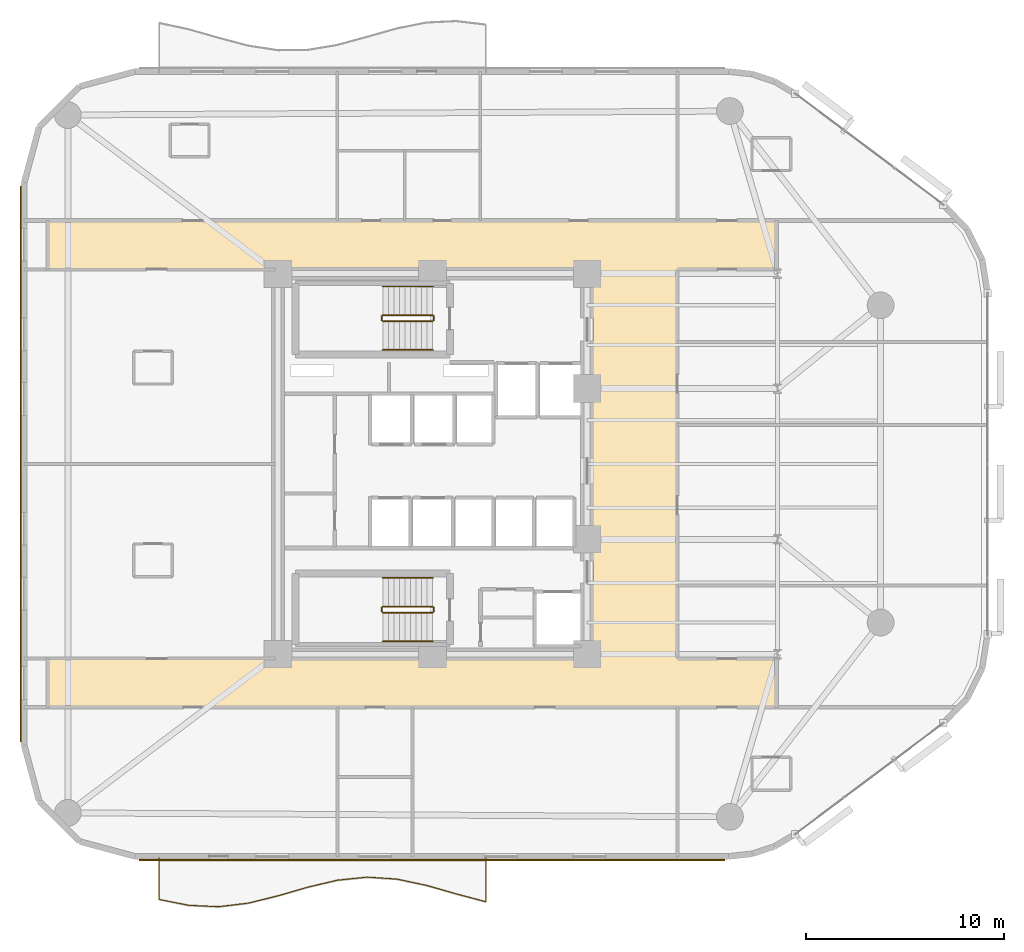
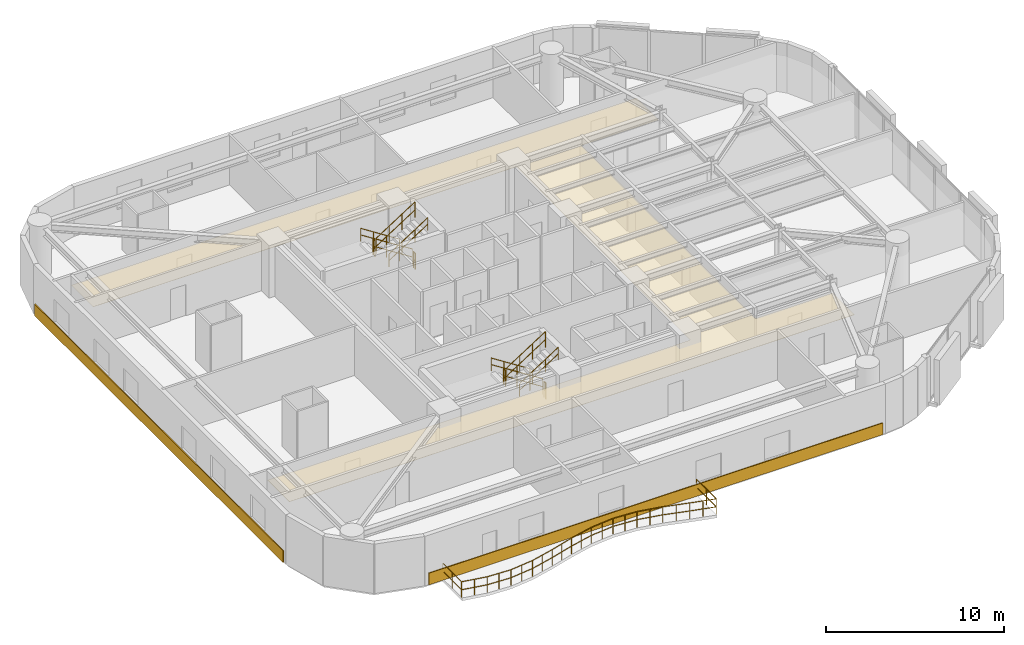
# One storey, part 14 of 15: 13 railings, 3 coverings.
"""IFC4 building model written with IfcOpenShell, lengths in metres."""

from ifc_helpers import new_model, si_unit, direction, frame, origin, origin_2d, place, context, subcontext, project, spatial, polyline, rectangle, circle, outline, extrude, material, layer, layer_set, type_object, element, save


model = new_model("IFC4")

# Units and contexts
model_context = context("Model", 3, precision=1e-05, world=origin(), true_north=direction((0.0, 1.0)))
body_context = subcontext(model_context, "Body", "Model", "MODEL_VIEW")
ifc_project = project(units=[si_unit("LENGTHUNIT", "METRE"), si_unit("AREAUNIT", "SQUARE_METRE"), si_unit("VOLUMEUNIT", "CUBIC_METRE"), si_unit("PLANEANGLEUNIT", "RADIAN"), si_unit("MASSUNIT", "GRAM", prefix="KILO")], contexts=[model_context])

# Site, building, storey
site_placement = place(None, origin())
site = spatial("IfcSite", under=ifc_project, at=site_placement, CompositionType="ELEMENT")
building_placement = place(site_placement, origin())
building = spatial("IfcBuilding", under=site, at=building_placement, Name="An Khanh Terracotta Commons", CompositionType="ELEMENT")
storey_placement = place(building_placement, frame((0.0, 0.0, 122.300048828125)))
storey = spatial("IfcBuildingStorey", under=building, at=storey_placement, Name="L32", CompositionType="ELEMENT", Elevation=122.300048828125)

# Coverings
ifc_material_1 = material(Name="Perforated Mineral-Fibre Acoustic Tile")
ifc_layer_1 = layer(ifc_material_1, 0.02001953125, Name="Perforated Mineral-Fibre Acoustic Tile")
ifc_layer_set_1 = layer_set([ifc_layer_1], Name="Perforated Mineral-Fibre Acoustic Tile")
covering_type_1 = type_object("IfcCoveringType", Name="CEIL-ACOUSTIC-18", PredefinedType="CEILING", material=ifc_layer_set_1)
covering_1_placement = place(storey_placement, frame((0.0, 0.0, 2.64990234375)))
element("IfcCovering", 1, at=covering_1_placement, inside=storey, type_object=covering_type_1, Name="L32 Corridor Ceiling", PredefinedType="CEILING", context=body_context, shape_type="SweptSolid", body=[
    extrude(outline(polyline([(37.5, 14.179931640625), (37.5, 33.820068359375), (10.0, 33.820068359375), (10.0, 36.280029296875), (37.5, 36.280029296875), (41.75, 36.280029296875), (46.75, 36.280029296875), (46.75, 33.820068359375), (41.75, 33.820068359375), (41.75, 14.179931640625), (46.75, 14.179931640625), (46.75, 11.719970703125), (41.75, 11.719970703125), (37.5, 11.719970703125), (10.0, 11.719970703125), (10.0, 14.179931640625), (37.5, 14.179931640625)])), origin(), (0.0, 0.0, 1.0), 0.02001953125),
])
ifc_material_2 = material(Name="Fired Terracotta Rainscreen Cladding", Category="masonry")
ifc_layer_2 = layer(ifc_material_2, 0.06005859375, Name="Fired Terracotta Rainscreen Cladding")
ifc_layer_set_2 = layer_set([ifc_layer_2], Name="Fired Terracotta Rainscreen Cladding")
covering_type_2 = type_object("IfcCoveringType", Name="COV-SPANDREL-TERRA", PredefinedType="CLADDING", material=ifc_layer_set_2)
covering_2_placement = place(storey_placement, frame((29.365966796875, 4.02001953125, 0.02001953125), z_axis=(0.0, 0.0, 1.0), x_axis=(1.0, 0.0, 0.0)))
element("IfcCovering", 2, at=covering_2_placement, inside=storey, type_object=covering_type_2, Name="L32 Terracotta Spandrel Cladding 4", PredefinedType="CLADDING", context=body_context, shape_type="SweptSolid", body=[
    extrude(rectangle(XDim=29.532958984375, YDim=0.06005859375, at=origin_2d()), origin(), (0.0, 0.0, 1.0), 0.800048828125),
])
covering_3_placement = place(storey_placement, frame((8.6201171875, 24.0, 0.02001953125), z_axis=(0.0, 0.0, 1.0), x_axis=(0.0, -1.0, 0.0)))
element("IfcCovering", 3, at=covering_3_placement, inside=storey, type_object=covering_type_2, Name="L32 Terracotta Spandrel Cladding 24", PredefinedType="CLADDING", context=body_context, shape_type="SweptSolid", body=[
    extrude(rectangle(XDim=28.0, YDim=0.06005859375, at=origin_2d()), origin(), (0.0, 0.0, 1.0), 0.800048828125),
])

# Railings
ifc_material_3 = material(Name="Brushed Stainless Steel 316", Category="steel")
railing_type_1 = type_object("IfcRailingType", Name="RAIL-BALUSTRADE-1100", PredefinedType="BALUSTRADE", material=ifc_material_3)
railing_1_placement = place(storey_placement, frame((15.60009765625, 4.139892578125, 0.0)))
element("IfcRailing", 4, at=railing_1_placement, inside=storey, type_object=railing_type_1, Name="L32 S Wave Balcony Guard Balustrade", PredefinedType="BALUSTRADE", context=body_context, shape_type="SweptSolid", body=[
    extrude(circle(Radius=0.02392578125, at=origin_2d()), frame((0.0, 0.0, 1.076171875), z_axis=(0.0, -1.0, 0.0), x_axis=(1.0, 0.0, 0.0)), (0.0, 0.0, 1.0), 2.10498046875),
    extrude(circle(Radius=0.02392578125, at=origin_2d()), frame((0.0, 0.0, 0.52587890625), z_axis=(0.0, -1.0, 0.0), x_axis=(1.0, 0.0, 0.0)), (0.0, 0.0, 1.0), 2.10498046875),
    extrude(circle(Radius=0.02392578125, at=origin_2d()), frame((0.0, -2.10498046875, 1.076171875), z_axis=(0.980849911242, -0.194765119094, 0.0), x_axis=(0.194765119094, 0.980849911242, 0.0)), (0.0, 0.0, 1.0), 1.529296875),
    extrude(circle(Radius=0.02392578125, at=origin_2d()), frame((0.0, -2.10498046875, 0.52587890625), z_axis=(0.980849911242, -0.194765119094, 0.0), x_axis=(0.194765119094, 0.980849911242, 0.0)), (0.0, 0.0, 1.0), 1.529296875),
    extrude(circle(Radius=0.02392578125, at=origin_2d()), frame((1.5, -2.40283203125, 1.076171875), z_axis=(0.998880243389, -0.047310245903, 0.0), x_axis=(0.047310245903, 0.998880243389, 0.0)), (0.0, 0.0, 1.0), 1.501708984375),
    extrude(circle(Radius=0.02392578125, at=origin_2d()), frame((1.5, -2.40283203125, 0.52587890625), z_axis=(0.998880243389, -0.047310245903, 0.0), x_axis=(0.047310245903, 0.998880243389, 0.0)), (0.0, 0.0, 1.0), 1.501708984375),
    extrude(circle(Radius=0.02392578125, at=origin_2d()), frame((3.0, -2.473876953125, 1.076171875), z_axis=(0.99288219023, 0.11910061429, 0.0), x_axis=(-0.11910061429, 0.99288219023, 0.0)), (0.0, 0.0, 1.0), 1.5107421875),
    extrude(circle(Radius=0.02392578125, at=origin_2d()), frame((3.0, -2.473876953125, 0.52587890625), z_axis=(0.99288219023, 0.11910061429, 0.0), x_axis=(-0.11910061429, 0.99288219023, 0.0)), (0.0, 0.0, 1.0), 1.5107421875),
    extrude(circle(Radius=0.02392578125, at=origin_2d()), frame((4.5, -2.2939453125, 1.076171875), z_axis=(0.970881568768, 0.239559970419, 0.0), x_axis=(-0.239559970419, 0.970881568768, 0.0)), (0.0, 0.0, 1.0), 1.544921875),
    extrude(circle(Radius=0.02392578125, at=origin_2d()), frame((4.5, -2.2939453125, 0.52587890625), z_axis=(0.970881568768, 0.239559970419, 0.0), x_axis=(-0.239559970419, 0.970881568768, 0.0)), (0.0, 0.0, 1.0), 1.544921875),
    extrude(circle(Radius=0.02392578125, at=origin_2d()), frame((6.0, -1.923828125, 1.076171875), z_axis=(0.960460913759, 0.278414857976, 0.0), x_axis=(-0.278414857976, 0.960460913759, 0.0)), (0.0, 0.0, 1.0), 1.561767578125),
    extrude(circle(Radius=0.02392578125, at=origin_2d()), frame((6.0, -1.923828125, 0.52587890625), z_axis=(0.960460913759, 0.278414857976, 0.0), x_axis=(-0.278414857976, 0.960460913759, 0.0)), (0.0, 0.0, 1.0), 1.561767578125),
    extrude(circle(Radius=0.02392578125, at=origin_2d()), frame((7.5, -1.489013671875, 1.076171875), z_axis=(0.973263214687, 0.229692653206, 0.0), x_axis=(-0.229692653206, 0.973263214687, 0.0)), (0.0, 0.0, 1.0), 1.541259765625),
    extrude(circle(Radius=0.02392578125, at=origin_2d()), frame((7.5, -1.489013671875, 0.52587890625), z_axis=(0.973263214687, 0.229692653206, 0.0), x_axis=(-0.229692653206, 0.973263214687, 0.0)), (0.0, 0.0, 1.0), 1.541259765625),
    extrude(circle(Radius=0.02392578125, at=origin_2d()), frame((9.0, -1.135009765625, 1.076171875), z_axis=(0.994833141332, 0.101523499286, 0.0), x_axis=(-0.101523499286, 0.994833141332, 0.0)), (0.0, 0.0, 1.0), 1.5078125),
    extrude(circle(Radius=0.02392578125, at=origin_2d()), frame((9.0, -1.135009765625, 0.52587890625), z_axis=(0.994833141332, 0.101523499286, 0.0), x_axis=(-0.101523499286, 0.994833141332, 0.0)), (0.0, 0.0, 1.0), 1.5078125),
    extrude(circle(Radius=0.02392578125, at=origin_2d()), frame((10.5, -0.98193359375, 1.076171875), z_axis=(0.99787689467, -0.065128358523, 0.0), x_axis=(0.065128358523, 0.99787689467, 0.0)), (0.0, 0.0, 1.0), 1.503173828125),
    extrude(circle(Radius=0.02392578125, at=origin_2d()), frame((10.5, -0.98193359375, 0.52587890625), z_axis=(0.99787689467, -0.065128358523, 0.0), x_axis=(0.065128358523, 0.99787689467, 0.0)), (0.0, 0.0, 1.0), 1.503173828125),
    extrude(circle(Radius=0.02392578125, at=origin_2d()), frame((12.0, -1.079833984375, 1.076171875), z_axis=(0.978242938641, -0.207462654468, 0.0), x_axis=(0.207462654468, 0.978242938641, 0.0)), (0.0, 0.0, 1.0), 1.533447265625),
    extrude(circle(Radius=0.02392578125, at=origin_2d()), frame((12.0, -1.079833984375, 0.52587890625), z_axis=(0.978242938641, -0.207462654468, 0.0), x_axis=(0.207462654468, 0.978242938641, 0.0)), (0.0, 0.0, 1.0), 1.533447265625),
    extrude(circle(Radius=0.02392578125, at=origin_2d()), frame((13.5, -1.39794921875, 1.076171875), z_axis=(0.961293347262, -0.275526950607, 0.0), x_axis=(0.275526950607, 0.961293347262, 0.0)), (0.0, 0.0, 1.0), 1.560302734375),
    extrude(circle(Radius=0.02392578125, at=origin_2d()), frame((13.5, -1.39794921875, 0.52587890625), z_axis=(0.961293347262, -0.275526950607, 0.0), x_axis=(0.275526950607, 0.961293347262, 0.0)), (0.0, 0.0, 1.0), 1.560302734375),
    extrude(circle(Radius=0.02392578125, at=origin_2d()), frame((15.0, -1.827880859375, 1.076171875), z_axis=(0.966718963822, -0.255840663277, 0.0), x_axis=(0.255840663277, 0.966718963822, 0.0)), (0.0, 0.0, 1.0), 1.5517578125),
    extrude(circle(Radius=0.02392578125, at=origin_2d()), frame((15.0, -1.827880859375, 0.52587890625), z_axis=(0.966718963822, -0.255840663277, 0.0), x_axis=(0.255840663277, 0.966718963822, 0.0)), (0.0, 0.0, 1.0), 1.5517578125),
    extrude(circle(Radius=0.02392578125, at=origin_2d()), frame((16.5, -2.224853515625, 1.076171875), z_axis=(0.0, 1.0, 0.0), x_axis=(-1.0, 0.0, 0.0)), (0.0, 0.0, 1.0), 2.224853515625),
    extrude(circle(Radius=0.02392578125, at=origin_2d()), frame((16.5, -2.224853515625, 0.52587890625), z_axis=(0.0, 1.0, 0.0), x_axis=(-1.0, 0.0, 0.0)), (0.0, 0.0, 1.0), 2.224853515625),
    extrude(circle(Radius=0.02099609375, at=origin_2d()), origin(), (0.0, 0.0, 1.0), 1.052001953125),
    extrude(circle(Radius=0.02099609375, at=origin_2d()), frame((0.0, -1.052490234375, 0.0)), (0.0, 0.0, 1.0), 1.052001953125),
    extrude(circle(Radius=0.02099609375, at=origin_2d()), frame((0.0, -2.10498046875, 0.0)), (0.0, 0.0, 1.0), 1.052001953125),
    extrude(circle(Radius=0.02099609375, at=origin_2d()), frame((0.75, -2.25390625, 0.0)), (0.0, 0.0, 1.0), 1.052001953125),
    extrude(circle(Radius=0.02099609375, at=origin_2d()), frame((1.5, -2.40283203125, 0.0)), (0.0, 0.0, 1.0), 1.052001953125),
    extrude(circle(Radius=0.02099609375, at=origin_2d()), frame((2.25, -2.4384765625, 0.0)), (0.0, 0.0, 1.0), 1.052001953125),
    extrude(circle(Radius=0.02099609375, at=origin_2d()), frame((3.0, -2.473876953125, 0.0)), (0.0, 0.0, 1.0), 1.052001953125),
    extrude(circle(Radius=0.02099609375, at=origin_2d()), frame((3.75, -2.3837890625, 0.0)), (0.0, 0.0, 1.0), 1.052001953125),
    extrude(circle(Radius=0.02099609375, at=origin_2d()), frame((4.5, -2.2939453125, 0.0)), (0.0, 0.0, 1.0), 1.052001953125),
    extrude(circle(Radius=0.02099609375, at=origin_2d()), frame((5.25, -2.10888671875, 0.0)), (0.0, 0.0, 1.0), 1.052001953125),
    extrude(circle(Radius=0.02099609375, at=origin_2d()), frame((6.0, -1.923828125, 0.0)), (0.0, 0.0, 1.0), 1.052001953125),
    extrude(circle(Radius=0.02099609375, at=origin_2d()), frame((6.75, -1.70654296875, 0.0)), (0.0, 0.0, 1.0), 1.052001953125),
    extrude(circle(Radius=0.02099609375, at=origin_2d()), frame((7.5, -1.489013671875, 0.0)), (0.0, 0.0, 1.0), 1.052001953125),
    extrude(circle(Radius=0.02099609375, at=origin_2d()), frame((8.25, -1.31201171875, 0.0)), (0.0, 0.0, 1.0), 1.052001953125),
    extrude(circle(Radius=0.02099609375, at=origin_2d()), frame((9.0, -1.135009765625, 0.0)), (0.0, 0.0, 1.0), 1.052001953125),
    extrude(circle(Radius=0.02099609375, at=origin_2d()), frame((9.75, -1.05859375, 0.0)), (0.0, 0.0, 1.0), 1.052001953125),
    extrude(circle(Radius=0.02099609375, at=origin_2d()), frame((10.5, -0.98193359375, 0.0)), (0.0, 0.0, 1.0), 1.052001953125),
    extrude(circle(Radius=0.02099609375, at=origin_2d()), frame((11.25, -1.03076171875, 0.0)), (0.0, 0.0, 1.0), 1.052001953125),
    extrude(circle(Radius=0.02099609375, at=origin_2d()), frame((12.0, -1.079833984375, 0.0)), (0.0, 0.0, 1.0), 1.052001953125),
    extrude(circle(Radius=0.02099609375, at=origin_2d()), frame((12.75, -1.23876953125, 0.0)), (0.0, 0.0, 1.0), 1.052001953125),
    extrude(circle(Radius=0.02099609375, at=origin_2d()), frame((13.5, -1.39794921875, 0.0)), (0.0, 0.0, 1.0), 1.052001953125),
    extrude(circle(Radius=0.02099609375, at=origin_2d()), frame((14.25, -1.61279296875, 0.0)), (0.0, 0.0, 1.0), 1.052001953125),
    extrude(circle(Radius=0.02099609375, at=origin_2d()), frame((15.0, -1.827880859375, 0.0)), (0.0, 0.0, 1.0), 1.052001953125),
    extrude(circle(Radius=0.02099609375, at=origin_2d()), frame((15.75, -2.0263671875, 0.0)), (0.0, 0.0, 1.0), 1.052001953125),
    extrude(circle(Radius=0.02099609375, at=origin_2d()), frame((16.5, -2.224853515625, 0.0)), (0.0, 0.0, 1.0), 1.052001953125),
    extrude(circle(Radius=0.02099609375, at=origin_2d()), frame((16.5, -1.1123046875, 0.0)), (0.0, 0.0, 1.0), 1.052001953125),
    extrude(circle(Radius=0.02099609375, at=origin_2d()), frame((16.5, 0.0, 0.0)), (0.0, 0.0, 1.0), 1.052001953125),
])
railing_type_2 = type_object("IfcRailingType", Name="RAIL-HANDRAIL-900", PredefinedType="HANDRAIL", material=ifc_material_3)
railing_2_placement = place(storey_placement, frame((29.409912109375, 32.949951171875, 0.179931640625)))
element("IfcRailing", 5, at=railing_2_placement, inside=storey, type_object=railing_type_2, Name="L32 ST-01 stair handrail 1", PredefinedType="HANDRAIL", context=body_context, shape_type="SweptSolid", body=[
    extrude(circle(Radius=0.02392578125, at=origin_2d()), frame((0.0, 0.0, 0.8759765625), z_axis=(-0.841162588446, 0.0, 0.540782303519), x_axis=(0.0, -1.0, 0.0)), (0.0, 0.0, 1.0), 2.995849609375),
    extrude(circle(Radius=0.02392578125, at=origin_2d()), frame((0.0, 0.0, 0.42578125), z_axis=(-0.841162588446, 0.0, 0.540782303519), x_axis=(0.0, -1.0, 0.0)), (0.0, 0.0, 1.0), 2.995849609375),
    extrude(circle(Radius=0.02099609375, at=origin_2d()), origin(), (0.0, 0.0, 1.0), 0.851806640625),
    extrude(circle(Radius=0.02099609375, at=origin_2d()), frame((-0.840087890625, 0.0, 0.5400390625)), (0.0, 0.0, 1.0), 0.851806640625),
    extrude(circle(Radius=0.02099609375, at=origin_2d()), frame((-1.679931640625, 0.0, 1.080078125)), (0.0, 0.0, 1.0), 0.851806640625),
    extrude(circle(Radius=0.02099609375, at=origin_2d()), frame((-2.52001953125, 0.0, 1.6201171875)), (0.0, 0.0, 1.0), 0.851806640625),
])
railing_3_placement = place(storey_placement, frame((26.889892578125, 29.75, 1.97998046875)))
element("IfcRailing", 6, at=railing_3_placement, inside=storey, type_object=railing_type_2, Name="L32 ST-01 stair handrail 2", PredefinedType="HANDRAIL", context=body_context, shape_type="SweptSolid", body=[
    extrude(circle(Radius=0.02392578125, at=origin_2d()), frame((0.0, 0.0, 0.8759765625), z_axis=(0.841199657755, 0.0, 0.540724639528), x_axis=(0.0, 1.0, 0.0)), (0.0, 0.0, 1.0), 2.995849609375),
    extrude(circle(Radius=0.02392578125, at=origin_2d()), frame((0.0, 0.0, 0.42578125), z_axis=(0.841199657755, 0.0, 0.540724639528), x_axis=(0.0, 1.0, 0.0)), (0.0, 0.0, 1.0), 2.995849609375),
    extrude(circle(Radius=0.02099609375, at=origin_2d()), origin(), (0.0, 0.0, 1.0), 0.851806640625),
    extrude(circle(Radius=0.02099609375, at=origin_2d()), frame((0.840087890625, 0.0, 0.5400390625)), (0.0, 0.0, 1.0), 0.851806640625),
    extrude(circle(Radius=0.02099609375, at=origin_2d()), frame((1.679931640625, 0.0, 1.079833984375)), (0.0, 0.0, 1.0), 0.851806640625),
    extrude(circle(Radius=0.02099609375, at=origin_2d()), frame((2.52001953125, 0.0, 1.619873046875)), (0.0, 0.0, 1.0), 0.851806640625),
])
railing_4_placement = place(storey_placement, frame((29.409912109375, 18.25, 0.179931640625)))
element("IfcRailing", 7, at=railing_4_placement, inside=storey, type_object=railing_type_2, Name="L32 ST-02 stair handrail 1", PredefinedType="HANDRAIL", context=body_context, shape_type="SweptSolid", body=[
    extrude(circle(Radius=0.02392578125, at=origin_2d()), frame((0.0, 0.0, 0.8759765625), z_axis=(-0.841162588446, 0.0, 0.540782303519), x_axis=(0.0, -1.0, 0.0)), (0.0, 0.0, 1.0), 2.995849609375),
    extrude(circle(Radius=0.02392578125, at=origin_2d()), frame((0.0, 0.0, 0.42578125), z_axis=(-0.841162588446, 0.0, 0.540782303519), x_axis=(0.0, -1.0, 0.0)), (0.0, 0.0, 1.0), 2.995849609375),
    extrude(circle(Radius=0.02099609375, at=origin_2d()), origin(), (0.0, 0.0, 1.0), 0.851806640625),
    extrude(circle(Radius=0.02099609375, at=origin_2d()), frame((-0.840087890625, 0.0, 0.5400390625)), (0.0, 0.0, 1.0), 0.851806640625),
    extrude(circle(Radius=0.02099609375, at=origin_2d()), frame((-1.679931640625, 0.0, 1.080078125)), (0.0, 0.0, 1.0), 0.851806640625),
    extrude(circle(Radius=0.02099609375, at=origin_2d()), frame((-2.52001953125, 0.0, 1.6201171875)), (0.0, 0.0, 1.0), 0.851806640625),
])
railing_5_placement = place(storey_placement, frame((26.889892578125, 15.050048828125, 1.97998046875)))
element("IfcRailing", 8, at=railing_5_placement, inside=storey, type_object=railing_type_2, Name="L32 ST-02 stair handrail 2", PredefinedType="HANDRAIL", context=body_context, shape_type="SweptSolid", body=[
    extrude(circle(Radius=0.02392578125, at=origin_2d()), frame((0.0, 0.0, 0.8759765625), z_axis=(0.841199657755, 0.0, 0.540724639528), x_axis=(0.0, 1.0, 0.0)), (0.0, 0.0, 1.0), 2.995849609375),
    extrude(circle(Radius=0.02392578125, at=origin_2d()), frame((0.0, 0.0, 0.42578125), z_axis=(0.841199657755, 0.0, 0.540724639528), x_axis=(0.0, 1.0, 0.0)), (0.0, 0.0, 1.0), 2.995849609375),
    extrude(circle(Radius=0.02099609375, at=origin_2d()), origin(), (0.0, 0.0, 1.0), 0.851806640625),
    extrude(circle(Radius=0.02099609375, at=origin_2d()), frame((0.840087890625, 0.0, 0.5400390625)), (0.0, 0.0, 1.0), 0.851806640625),
    extrude(circle(Radius=0.02099609375, at=origin_2d()), frame((1.679931640625, 0.0, 1.079833984375)), (0.0, 0.0, 1.0), 0.851806640625),
    extrude(circle(Radius=0.02099609375, at=origin_2d()), frame((2.52001953125, 0.0, 1.619873046875)), (0.0, 0.0, 1.0), 0.851806640625),
])
ifc_material_4 = material(Name="Powder-Coated Steel S355J2", Category="steel")
railing_type_3 = type_object("IfcRailingType", Name="RAIL-STAIR-GUARD-1100", PredefinedType="BALUSTRADE", material=ifc_material_4)
railing_6_placement = place(storey_placement, frame((29.409912109375, 31.5, 0.179931640625)))
element("IfcRailing", 9, at=railing_6_placement, inside=storey, type_object=railing_type_3, Name="L32 ST-01 stair guard 1", PredefinedType="BALUSTRADE", context=body_context, shape_type="SweptSolid", body=[
    extrude(circle(Radius=0.02392578125, at=origin_2d()), frame((0.0, 0.0, 1.076171875), z_axis=(-0.841162588446, 0.0, 0.540782303519), x_axis=(0.0, -1.0, 0.0)), (0.0, 0.0, 1.0), 2.995849609375),
    extrude(circle(Radius=0.02392578125, at=origin_2d()), frame((0.0, 0.0, 0.52587890625), z_axis=(-0.841162588446, 0.0, 0.540782303519), x_axis=(0.0, -1.0, 0.0)), (0.0, 0.0, 1.0), 2.995849609375),
    extrude(circle(Radius=0.02099609375, at=origin_2d()), origin(), (0.0, 0.0, 1.0), 1.052001953125),
    extrude(circle(Radius=0.02099609375, at=origin_2d()), frame((-0.840087890625, 0.0, 0.5400390625)), (0.0, 0.0, 1.0), 1.052001953125),
    extrude(circle(Radius=0.02099609375, at=origin_2d()), frame((-1.679931640625, 0.0, 1.080078125)), (0.0, 0.0, 1.0), 1.052001953125),
    extrude(circle(Radius=0.02099609375, at=origin_2d()), frame((-2.52001953125, 0.0, 1.6201171875)), (0.0, 0.0, 1.0), 1.052001953125),
])
railing_7_placement = place(storey_placement, frame((26.840087890625, 31.449951171875, 1.800048828125)))
element("IfcRailing", 10, at=railing_7_placement, inside=storey, type_object=railing_type_3, Name="L32 ST-01 stair guard 2", PredefinedType="BALUSTRADE", context=body_context, shape_type="SweptSolid", body=[
    extrude(circle(Radius=0.02392578125, at=origin_2d()), frame((0.0, 0.0, 1.076171875), z_axis=(0.0, -1.0, 0.0), x_axis=(1.0, 0.0, 0.0)), (0.0, 0.0, 1.0), 0.199951171875),
    extrude(circle(Radius=0.02392578125, at=origin_2d()), frame((0.0, 0.0, 0.52587890625), z_axis=(0.0, -1.0, 0.0), x_axis=(1.0, 0.0, 0.0)), (0.0, 0.0, 1.0), 0.199951171875),
    extrude(circle(Radius=0.02099609375, at=origin_2d()), origin(), (0.0, 0.0, 1.0), 1.052001953125),
    extrude(circle(Radius=0.02099609375, at=origin_2d()), frame((0.0, -0.199951171875, 0.0)), (0.0, 0.0, 1.0), 1.052001953125),
])
railing_8_placement = place(storey_placement, frame((26.889892578125, 31.199951171875, 1.97998046875)))
element("IfcRailing", 11, at=railing_8_placement, inside=storey, type_object=railing_type_3, Name="L32 ST-01 stair guard 3", PredefinedType="BALUSTRADE", context=body_context, shape_type="SweptSolid", body=[
    extrude(circle(Radius=0.02392578125, at=origin_2d()), frame((0.0, 0.0, 1.076171875), z_axis=(0.841199657755, 0.0, 0.540724639528), x_axis=(0.0, 1.0, 0.0)), (0.0, 0.0, 1.0), 2.995849609375),
    extrude(circle(Radius=0.02392578125, at=origin_2d()), frame((0.0, 0.0, 0.52587890625), z_axis=(0.841199657755, 0.0, 0.540724639528), x_axis=(0.0, 1.0, 0.0)), (0.0, 0.0, 1.0), 2.995849609375),
    extrude(circle(Radius=0.02099609375, at=origin_2d()), origin(), (0.0, 0.0, 1.0), 1.052001953125),
    extrude(circle(Radius=0.02099609375, at=origin_2d()), frame((0.840087890625, 0.0, 0.5400390625)), (0.0, 0.0, 1.0), 1.052001953125),
    extrude(circle(Radius=0.02099609375, at=origin_2d()), frame((1.679931640625, 0.0, 1.079833984375)), (0.0, 0.0, 1.0), 1.052001953125),
    extrude(circle(Radius=0.02099609375, at=origin_2d()), frame((2.52001953125, 0.0, 1.619873046875)), (0.0, 0.0, 1.0), 1.052001953125),
])
railing_9_placement = place(storey_placement, frame((29.4599609375, 31.449951171875, 0.0)))
element("IfcRailing", 12, at=railing_9_placement, inside=storey, type_object=railing_type_3, Name="L32 ST-01 stair guard 4", PredefinedType="BALUSTRADE", context=body_context, shape_type="SweptSolid", body=[
    extrude(circle(Radius=0.02392578125, at=origin_2d()), frame((0.0, 0.0, 1.076171875), z_axis=(0.0, -1.0, 0.0), x_axis=(1.0, 0.0, 0.0)), (0.0, 0.0, 1.0), 0.199951171875),
    extrude(circle(Radius=0.02392578125, at=origin_2d()), frame((0.0, 0.0, 0.52587890625), z_axis=(0.0, -1.0, 0.0), x_axis=(1.0, 0.0, 0.0)), (0.0, 0.0, 1.0), 0.199951171875),
    extrude(circle(Radius=0.02099609375, at=origin_2d()), origin(), (0.0, 0.0, 1.0), 1.052001953125),
    extrude(circle(Radius=0.02099609375, at=origin_2d()), frame((0.0, -0.199951171875, 0.0)), (0.0, 0.0, 1.0), 1.052001953125),
])
railing_10_placement = place(storey_placement, frame((29.409912109375, 16.800048828125, 0.179931640625)))
element("IfcRailing", 13, at=railing_10_placement, inside=storey, type_object=railing_type_3, Name="L32 ST-02 stair guard 1", PredefinedType="BALUSTRADE", context=body_context, shape_type="SweptSolid", body=[
    extrude(circle(Radius=0.02392578125, at=origin_2d()), frame((0.0, 0.0, 1.076171875), z_axis=(-0.841162588446, 0.0, 0.540782303519), x_axis=(0.0, -1.0, 0.0)), (0.0, 0.0, 1.0), 2.995849609375),
    extrude(circle(Radius=0.02392578125, at=origin_2d()), frame((0.0, 0.0, 0.52587890625), z_axis=(-0.841162588446, 0.0, 0.540782303519), x_axis=(0.0, -1.0, 0.0)), (0.0, 0.0, 1.0), 2.995849609375),
    extrude(circle(Radius=0.02099609375, at=origin_2d()), origin(), (0.0, 0.0, 1.0), 1.052001953125),
    extrude(circle(Radius=0.02099609375, at=origin_2d()), frame((-0.840087890625, 0.0, 0.5400390625)), (0.0, 0.0, 1.0), 1.052001953125),
    extrude(circle(Radius=0.02099609375, at=origin_2d()), frame((-1.679931640625, 0.0, 1.080078125)), (0.0, 0.0, 1.0), 1.052001953125),
    extrude(circle(Radius=0.02099609375, at=origin_2d()), frame((-2.52001953125, 0.0, 1.6201171875)), (0.0, 0.0, 1.0), 1.052001953125),
])
railing_11_placement = place(storey_placement, frame((26.840087890625, 16.75, 1.800048828125)))
element("IfcRailing", 14, at=railing_11_placement, inside=storey, type_object=railing_type_3, Name="L32 ST-02 stair guard 2", PredefinedType="BALUSTRADE", context=body_context, shape_type="SweptSolid", body=[
    extrude(circle(Radius=0.02392578125, at=origin_2d()), frame((0.0, 0.0, 1.076171875), z_axis=(0.0, -1.0, 0.0), x_axis=(1.0, 0.0, 0.0)), (0.0, 0.0, 1.0), 0.199951171875),
    extrude(circle(Radius=0.02392578125, at=origin_2d()), frame((0.0, 0.0, 0.52587890625), z_axis=(0.0, -1.0, 0.0), x_axis=(1.0, 0.0, 0.0)), (0.0, 0.0, 1.0), 0.199951171875),
    extrude(circle(Radius=0.02099609375, at=origin_2d()), origin(), (0.0, 0.0, 1.0), 1.052001953125),
    extrude(circle(Radius=0.02099609375, at=origin_2d()), frame((0.0, -0.199951171875, 0.0)), (0.0, 0.0, 1.0), 1.052001953125),
])
railing_12_placement = place(storey_placement, frame((26.889892578125, 16.5, 1.97998046875)))
element("IfcRailing", 15, at=railing_12_placement, inside=storey, type_object=railing_type_3, Name="L32 ST-02 stair guard 3", PredefinedType="BALUSTRADE", context=body_context, shape_type="SweptSolid", body=[
    extrude(circle(Radius=0.02392578125, at=origin_2d()), frame((0.0, 0.0, 1.076171875), z_axis=(0.841199657755, 0.0, 0.540724639528), x_axis=(0.0, 1.0, 0.0)), (0.0, 0.0, 1.0), 2.995849609375),
    extrude(circle(Radius=0.02392578125, at=origin_2d()), frame((0.0, 0.0, 0.52587890625), z_axis=(0.841199657755, 0.0, 0.540724639528), x_axis=(0.0, 1.0, 0.0)), (0.0, 0.0, 1.0), 2.995849609375),
    extrude(circle(Radius=0.02099609375, at=origin_2d()), origin(), (0.0, 0.0, 1.0), 1.052001953125),
    extrude(circle(Radius=0.02099609375, at=origin_2d()), frame((0.840087890625, 0.0, 0.5400390625)), (0.0, 0.0, 1.0), 1.052001953125),
    extrude(circle(Radius=0.02099609375, at=origin_2d()), frame((1.679931640625, 0.0, 1.079833984375)), (0.0, 0.0, 1.0), 1.052001953125),
    extrude(circle(Radius=0.02099609375, at=origin_2d()), frame((2.52001953125, 0.0, 1.619873046875)), (0.0, 0.0, 1.0), 1.052001953125),
])
railing_13_placement = place(storey_placement, frame((29.4599609375, 16.75, 0.0)))
element("IfcRailing", 16, at=railing_13_placement, inside=storey, type_object=railing_type_3, Name="L32 ST-02 stair guard 4", PredefinedType="BALUSTRADE", context=body_context, shape_type="SweptSolid", body=[
    extrude(circle(Radius=0.02392578125, at=origin_2d()), frame((0.0, 0.0, 1.076171875), z_axis=(0.0, -1.0, 0.0), x_axis=(1.0, 0.0, 0.0)), (0.0, 0.0, 1.0), 0.199951171875),
    extrude(circle(Radius=0.02392578125, at=origin_2d()), frame((0.0, 0.0, 0.52587890625), z_axis=(0.0, -1.0, 0.0), x_axis=(1.0, 0.0, 0.0)), (0.0, 0.0, 1.0), 0.199951171875),
    extrude(circle(Radius=0.02099609375, at=origin_2d()), origin(), (0.0, 0.0, 1.0), 1.052001953125),
    extrude(circle(Radius=0.02099609375, at=origin_2d()), frame((0.0, -0.199951171875, 0.0)), (0.0, 0.0, 1.0), 1.052001953125),
])

save(model, "model.ifc")
